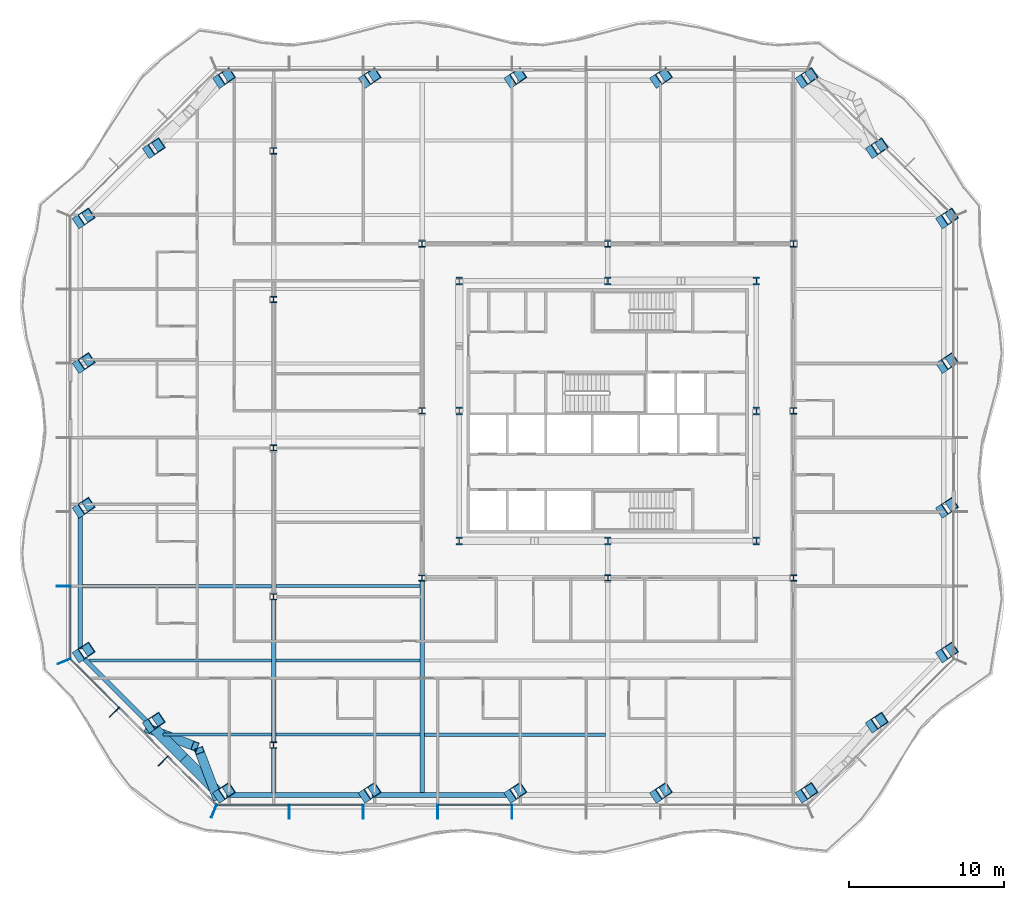
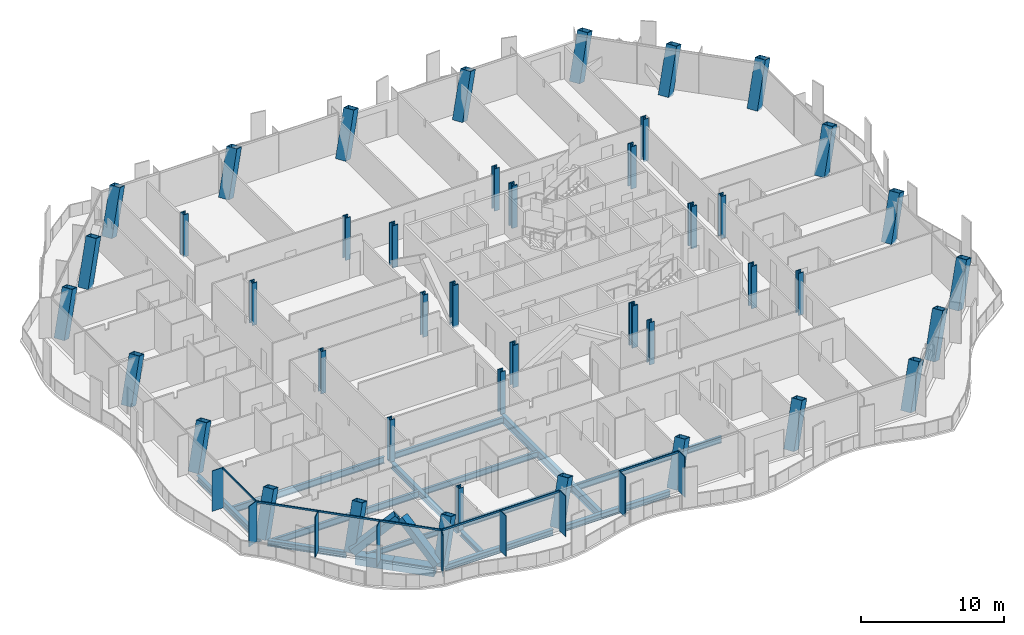
# One storey, part 1 of 17: 43 columns, 18 members, 16 beams, 3 elements without a shape of their own.
"""IFC4 building model written with IfcOpenShell, lengths in metres."""

from ifc_helpers import new_model, si_unit, direction, frame, origin, origin_2d, place, context, subcontext, project, spatial, rectangle, hollow_rectangle, i_section, extrude, clip, halfspace, material, material_profile, profile_set, type_object, element, aggregate, save


model = new_model("IFC4")

# Units and contexts
model_context = context("Model", 3, precision=1e-05, world=origin(), true_north=direction((0.0, 1.0)))
body_context = subcontext(model_context, "Body", "Model", "MODEL_VIEW")
ifc_project = project(units=[si_unit("LENGTHUNIT", "METRE"), si_unit("AREAUNIT", "SQUARE_METRE"), si_unit("VOLUMEUNIT", "CUBIC_METRE"), si_unit("PLANEANGLEUNIT", "RADIAN"), si_unit("MASSUNIT", "GRAM", prefix="KILO")], contexts=[model_context])

# Site, building, storey
site_placement = place(None, origin())
site = spatial("IfcSite", under=ifc_project, at=site_placement, CompositionType="ELEMENT")
building_placement = place(site_placement, origin())
building = spatial("IfcBuilding", under=site, at=building_placement, Name="Cairn Pilgrim Tower", CompositionType="ELEMENT")
storey_placement = place(building_placement, frame((0.0, 0.0, 94.199951171875)))
storey = spatial("IfcBuildingStorey", under=building, at=storey_placement, Name="L22", CompositionType="ELEMENT", Elevation=94.199951171875)

# Columns
ifc_material_1 = material(Name="Structural steel S460M", Category="steel")
ifc_material_profile_1 = material_profile(ifc_material_1, hollow_rectangle(XDim=0.800048828125, YDim=0.800048828125, WallThickness=0.050048828125, at=origin_2d()), Name="BOX 800x800x50")
ifc_profile_set_1 = profile_set([ifc_material_profile_1], Name="Structural steel S460M")
column_type_1 = type_object("IfcColumnType", Name="BOX 800x800x50", PredefinedType="COLUMN", material=ifc_profile_set_1)
for number, where, z_axis, x_axis, name in (
    (1, (-17.81884765625, -22.427734375, -0.14990234375), (0.28196214786, 0.18797476524, 0.940830927854), (-0.554700196225, 0.832050294338, 0.0), "PC1-S1"),
    (2, (-8.4052734375, -22.427734375, -0.14990234375), (0.28196214786, 0.18797476524, 0.940830927854), (-0.554700196225, 0.832050294338, 0.0), "PC1-S2"),
    (3, (1.00830078125, -22.427734375, -0.14990234375), (0.28196214786, 0.18797476524, 0.940830927854), (-0.554700196225, 0.832050294338, 0.0), "PC1-S3"),
    (4, (10.422119140625, -22.427734375, -0.14990234375), (0.281903412306, 0.18797814682, 0.940847852975), (-0.554787109556, 0.83199234556, 0.0), "PC1-S4"),
    (5, (19.835693359375, -22.427734375, -0.14990234375), (0.281903412306, 0.18797814682, 0.940847852975), (-0.554787109556, 0.83199234556, 0.0), "PC1-SE1"),
    (6, (24.3720703125, -17.891357421875, -0.14990234375), (0.281903412306, 0.18797814682, 0.940847852975), (-0.554787109556, 0.83199234556, 0.0), "PC1-SE2"),
    (7, (28.908447265625, -13.35498046875, -0.14990234375), (0.281903412306, 0.18797814682, 0.940847852975), (-0.554787109556, 0.83199234556, 0.0), "PC1-E1"),
):
    element("IfcColumn", number, at=place(storey_placement, frame(where, z_axis=z_axis, x_axis=x_axis)), inside=storey, type_object=column_type_1, Name=name, PredefinedType="COLUMN", context=body_context, shape_type="Clipping", body=[
        clip(clip(extrude(hollow_rectangle(XDim=0.800048828125, YDim=0.800048828125, WallThickness=0.050048828125, at=origin_2d()), origin(), (0.0, 0.0, 1.0), 3.826171875), halfspace(frame((0.0, 0.0, 0.02392578125), z_axis=(0.0, 0.0, 1.0), x_axis=(1.0, 0.0, 0.0)), True)), halfspace(frame((0.0, 0.0, 3.802001953125), z_axis=(0.0, 0.0, 1.0), x_axis=(1.0, 0.0, 0.0)), False)),
    ])
column_1_placement = place(storey_placement, frame((28.908447265625, -4.00341796875, -0.14990234375), z_axis=(0.281906793082, 0.187916592491, 0.940859136258), x_axis=(-0.554656732749, 0.832079268349, 0.0)))
element("IfcColumn", 8, at=column_1_placement, inside=storey, type_object=column_type_1, Name="PC1-E2", PredefinedType="COLUMN", context=body_context, shape_type="Clipping", body=[
    clip(clip(extrude(hollow_rectangle(XDim=0.800048828125, YDim=0.800048828125, WallThickness=0.050048828125, at=origin_2d()), origin(), (0.0, 0.0, 1.0), 3.826171875), halfspace(frame((0.0, 0.0, 0.02392578125), z_axis=(0.0, 0.0, 1.0), x_axis=(1.0, 0.0, 0.0)), True)), halfspace(frame((0.0, 0.0, 3.8017578125), z_axis=(0.0, 0.0, 1.0), x_axis=(1.0, 0.0, 0.0)), False)),
])
for number, where, z_axis, x_axis, name in (
    (9, (28.908447265625, 5.347900390625, -0.14990234375), (0.281903412306, 0.18797814682, 0.940847852975), (-0.554787109556, 0.83199234556, 0.0), "PC1-E3"),
    (10, (28.908447265625, 14.699462890625, -0.14990234375), (0.281903412306, 0.18797814682, 0.940847852975), (-0.554787109556, 0.83199234556, 0.0), "PC1-NE1"),
    (11, (24.3720703125, 19.23583984375, -0.14990234375), (0.281903412306, 0.18797814682, 0.940847852975), (-0.554787109556, 0.83199234556, 0.0), "PC1-NE2"),
    (12, (19.835693359375, 23.772216796875, -0.14990234375), (0.281903412306, 0.18797814682, 0.940847852975), (-0.554787109556, 0.83199234556, 0.0), "PC1-N1"),
    (13, (10.422119140625, 23.772216796875, -0.14990234375), (0.281903412306, 0.18797814682, 0.940847852975), (-0.554787109556, 0.83199234556, 0.0), "PC1-N2"),
    (14, (1.00830078125, 23.772216796875, -0.14990234375), (0.28196214786, 0.18797476524, 0.940830927854), (-0.554700196225, 0.832050294338, 0.0), "PC1-N3"),
    (15, (-8.4052734375, 23.772216796875, -0.14990234375), (0.28196214786, 0.18797476524, 0.940830927854), (-0.554700196225, 0.832050294338, 0.0), "PC1-N4"),
    (16, (-17.81884765625, 23.772216796875, -0.14990234375), (0.28196214786, 0.18797476524, 0.940830927854), (-0.554700196225, 0.832050294338, 0.0), "PC1-NW1"),
    (17, (-22.355224609375, 19.23583984375, -0.14990234375), (0.281903412306, 0.18797814682, 0.940847852975), (-0.554787109556, 0.83199234556, 0.0), "PC1-NW2"),
    (18, (-26.8916015625, 14.699462890625, -0.14990234375), (0.281903412306, 0.18797814682, 0.940847852975), (-0.554787109556, 0.83199234556, 0.0), "PC1-W1"),
    (19, (-26.8916015625, 5.347900390625, -0.14990234375), (0.281903412306, 0.18797814682, 0.940847852975), (-0.554787109556, 0.83199234556, 0.0), "PC1-W2"),
):
    element("IfcColumn", number, at=place(storey_placement, frame(where, z_axis=z_axis, x_axis=x_axis)), inside=storey, type_object=column_type_1, Name=name, PredefinedType="COLUMN", context=body_context, shape_type="Clipping", body=[
        clip(clip(extrude(hollow_rectangle(XDim=0.800048828125, YDim=0.800048828125, WallThickness=0.050048828125, at=origin_2d()), origin(), (0.0, 0.0, 1.0), 3.826171875), halfspace(frame((0.0, 0.0, 0.02392578125), z_axis=(0.0, 0.0, 1.0), x_axis=(1.0, 0.0, 0.0)), True)), halfspace(frame((0.0, 0.0, 3.802001953125), z_axis=(0.0, 0.0, 1.0), x_axis=(1.0, 0.0, 0.0)), False)),
    ])
column_2_placement = place(storey_placement, frame((-26.8916015625, -4.00341796875, -0.14990234375), z_axis=(0.281906793082, 0.187916592491, 0.940859136258), x_axis=(-0.554656732749, 0.832079268349, 0.0)))
element("IfcColumn", 20, at=column_2_placement, inside=storey, type_object=column_type_1, Name="PC1-W3", PredefinedType="COLUMN", context=body_context, shape_type="Clipping", body=[
    clip(clip(extrude(hollow_rectangle(XDim=0.800048828125, YDim=0.800048828125, WallThickness=0.050048828125, at=origin_2d()), origin(), (0.0, 0.0, 1.0), 3.826171875), halfspace(frame((0.0, 0.0, 0.02392578125), z_axis=(0.0, 0.0, 1.0), x_axis=(1.0, 0.0, 0.0)), True)), halfspace(frame((0.0, 0.0, 3.8017578125), z_axis=(0.0, 0.0, 1.0), x_axis=(1.0, 0.0, 0.0)), False)),
])
for number, where, z_axis, x_axis, name in (
    (21, (-26.8916015625, -13.35498046875, -0.14990234375), (0.281903412306, 0.18797814682, 0.940847852975), (-0.554787109556, 0.83199234556, 0.0), "PC1-SW1"),
    (22, (-22.355224609375, -17.891357421875, -0.14990234375), (0.281903412306, 0.18797814682, 0.940847852975), (-0.554787109556, 0.83199234556, 0.0), "PC1-SW2"),
):
    element("IfcColumn", number, at=place(storey_placement, frame(where, z_axis=z_axis, x_axis=x_axis)), inside=storey, type_object=column_type_1, Name=name, PredefinedType="COLUMN", context=body_context, shape_type="Clipping", body=[
        clip(clip(extrude(hollow_rectangle(XDim=0.800048828125, YDim=0.800048828125, WallThickness=0.050048828125, at=origin_2d()), origin(), (0.0, 0.0, 1.0), 3.826171875), halfspace(frame((0.0, 0.0, 0.02392578125), z_axis=(0.0, 0.0, 1.0), x_axis=(1.0, 0.0, 0.0)), True)), halfspace(frame((0.0, 0.0, 3.802001953125), z_axis=(0.0, 0.0, 1.0), x_axis=(1.0, 0.0, 0.0)), False)),
    ])
ifc_material_profile_2 = material_profile(ifc_material_1, i_section(OverallWidth=0.408935546875, OverallDepth=0.425048828125, WebThickness=0.03271484375, FlangeThickness=0.052490234375, FilletRadius=0.014892578125, at=origin_2d()), Name="HD 400x421")
ifc_profile_set_2 = profile_set([ifc_material_profile_2], Name="Structural steel S460M")
column_type_2 = type_object("IfcColumnType", Name="HD 400x421", PredefinedType="COLUMN", material=ifc_profile_set_2)
for number, where, z_axis, x_axis, name in (
    (23, (-4.800048828125, -8.39990234375, -0.14990234375), (0.0, 0.0, 1.0), (1.0, 0.0, 0.0), "IC-1"),
    (24, (7.199951171875, -8.39990234375, -0.14990234375), (0.0, 0.0, 1.0), (1.0, 0.0, 0.0), "IC-2"),
    (25, (19.199951171875, -8.39990234375, -0.14990234375), (0.0, 0.0, 1.0), (1.0, 0.0, 0.0), "IC-3"),
    (26, (-4.800048828125, 2.39990234375, -0.14990234375), (0.0, 0.0, 1.0), (1.0, 0.0, 0.0), "IC-4"),
    (27, (19.199951171875, 2.39990234375, -0.14990234375), (0.0, 0.0, 1.0), (1.0, 0.0, 0.0), "IC-5"),
    (28, (-4.800048828125, 13.199951171875, -0.14990234375), (0.0, 0.0, 1.0), (1.0, 0.0, 0.0), "IC-6"),
    (29, (7.199951171875, 13.199951171875, -0.14990234375), (0.0, 0.0, 1.0), (1.0, 0.0, 0.0), "IC-7"),
    (30, (19.199951171875, 13.199951171875, -0.14990234375), (0.0, 0.0, 1.0), (1.0, 0.0, 0.0), "IC-8"),
    (31, (-14.39990234375, -19.199951171875, -0.14990234375), (0.0, 0.0, 1.0), (1.0, 0.0, 0.0), "WC-WW-4"),
    (32, (-14.39990234375, -9.60009765625, -0.14990234375), (0.0, 0.0, 1.0), (1.0, 0.0, 0.0), "WC-WW-2"),
    (33, (-14.39990234375, 0.0, -0.14990234375), (0.0, 0.0, 1.0), (1.0, 0.0, 0.0), "WC-WW+0"),
    (34, (-14.39990234375, 9.60009765625, -0.14990234375), (0.0, 0.0, 1.0), (1.0, 0.0, 0.0), "WC-WW+2"),
    (35, (-14.39990234375, 19.199951171875, -0.14990234375), (0.0, 0.0, 1.0), (1.0, 0.0, 0.0), "WC-WW+4"),
):
    element("IfcColumn", number, at=place(storey_placement, frame(where, z_axis=z_axis, x_axis=x_axis)), inside=storey, type_object=column_type_2, Name=name, PredefinedType="COLUMN", context=body_context, shape_type="SweptSolid", body=[
        extrude(i_section(OverallWidth=0.408935546875, OverallDepth=0.425048828125, WebThickness=0.03271484375, FlangeThickness=0.052490234375, FilletRadius=0.014892578125, at=origin_2d()), origin(), (0.0, 0.0, 1.0), 3.599853515625),
    ])
ifc_material_profile_3 = material_profile(ifc_material_1, i_section(OverallWidth=0.43701171875, OverallDepth=0.513916015625, WebThickness=0.060546875, FlangeThickness=0.096923828125, FilletRadius=0.014892578125, at=origin_2d()), Name="HD 400x818")
ifc_profile_set_3 = profile_set([ifc_material_profile_3], Name="Structural steel S460M")
column_type_3 = type_object("IfcColumnType", Name="HD 400x818", PredefinedType="COLUMN", material=ifc_profile_set_3)
for number, where, z_axis, x_axis, name in (
    (36, (-2.39990234375, -6.0, -0.14990234375), (0.0, 0.0, 1.0), (1.0, 0.0, 0.0), "KC-1"),
    (37, (7.199951171875, -6.0, -0.14990234375), (0.0, 0.0, 1.0), (1.0, 0.0, 0.0), "KC-2"),
    (38, (16.800048828125, -6.0, -0.14990234375), (0.0, 0.0, 1.0), (1.0, 0.0, 0.0), "KC-3"),
    (39, (-2.39990234375, 2.39990234375, -0.14990234375), (0.0, 0.0, 1.0), (1.0, 0.0, 0.0), "KC-4"),
    (40, (16.800048828125, 2.39990234375, -0.14990234375), (0.0, 0.0, 1.0), (1.0, 0.0, 0.0), "KC-5"),
    (41, (-2.39990234375, 10.800048828125, -0.14990234375), (0.0, 0.0, 1.0), (1.0, 0.0, 0.0), "KC-6"),
    (42, (7.199951171875, 10.800048828125, -0.14990234375), (0.0, 0.0, 1.0), (1.0, 0.0, 0.0), "KC-7"),
    (43, (16.800048828125, 10.800048828125, -0.14990234375), (0.0, 0.0, 1.0), (1.0, 0.0, 0.0), "KC-8"),
):
    element("IfcColumn", number, at=place(storey_placement, frame(where, z_axis=z_axis, x_axis=x_axis)), inside=storey, type_object=column_type_3, Name=name, PredefinedType="COLUMN", context=body_context, shape_type="SweptSolid", body=[
        extrude(i_section(OverallWidth=0.43701171875, OverallDepth=0.513916015625, WebThickness=0.060546875, FlangeThickness=0.096923828125, FilletRadius=0.014892578125, at=origin_2d()), origin(), (0.0, 0.0, 1.0), 3.599853515625),
    ])

# Members
ifc_material_profile_4 = material_profile(ifc_material_1, hollow_rectangle(XDim=0.60009765625, YDim=0.60009765625, WallThickness=0.034912109375, at=origin_2d()), Name="BOX 600x600x35")
ifc_profile_set_4 = profile_set([ifc_material_profile_4], Name="Structural steel S460M")
member_type_1 = type_object("IfcMemberType", Name="BOX 600x600x35 BRACE", PredefinedType="BRACE", material=ifc_profile_set_4)
for number, where, z_axis, x_axis, name in (
    (44, (-22.486083984375, -18.13525390625, 0.150146484375), (0.72777860101, -0.276357415527, 0.627666222442), (0.354994993922, 0.934868201561, 0.0), "XB-SW2-S1-1"),
    (45, (-18.062744140625, -22.55859375, 0.150146484375), (-0.276357415527, 0.72777860101, 0.627666222442), (-0.934868201561, -0.354994993922, 0.0), "XB-SW2-S1-2"),
):
    element("IfcMember", number, at=place(storey_placement, frame(where, z_axis=z_axis, x_axis=x_axis)), inside=storey, type_object=member_type_1, Name=name, PredefinedType="BRACE", context=body_context, shape_type="SweptSolid", body=[
        extrude(hollow_rectangle(XDim=0.60009765625, YDim=0.60009765625, WallThickness=0.034912109375, at=origin_2d()), origin(), (0.0, 0.0, 1.0), 4.133544921875),
    ])

# Beams
ifc_material_2 = material(Name="Structural steel S355J2", Category="steel")
ifc_material_profile_5 = material_profile(ifc_material_2, hollow_rectangle(XDim=0.699951171875, YDim=0.800048828125, WallThickness=0.0400390625, at=origin_2d()), Name="BOX 700x800x40")
ifc_profile_set_5 = profile_set([ifc_material_profile_5], Name="Structural steel S355J2")
beam_type_1 = type_object("IfcBeamType", Name="BOX 700x800x40 RING GIRDER", PredefinedType="SPANDREL", material=ifc_profile_set_5)
beam_1_placement = place(storey_placement, frame((-22.1005859375, -18.14599609375, -0.550048828125), z_axis=(0.707106781187, -0.707106781187, 0.0), x_axis=(0.707106781187, 0.707106781187, 0.0)))
element("IfcBeam", 46, at=beam_1_placement, inside=storey, type_object=beam_type_1, Name="RG1-SW2-S1-1", PredefinedType="SPANDREL", context=body_context, shape_type="SweptSolid", body=[
    extrude(hollow_rectangle(XDim=0.699951171875, YDim=0.800048828125, WallThickness=0.0400390625, at=origin_2d()), origin(), (0.0, 0.0, 1.0), 2.685546875),
])
beam_2_placement = place(storey_placement, frame((-20.20166015625, -20.044921875, -0.550048828125), z_axis=(0.707106781187, -0.707106781187, 0.0), x_axis=(0.707106781187, 0.707106781187, 0.0)))
element("IfcBeam", 47, at=beam_2_placement, inside=storey, type_object=beam_type_1, Name="RG1-SW2-S1-2", PredefinedType="SPANDREL", context=body_context, shape_type="SweptSolid", body=[
    extrude(hollow_rectangle(XDim=0.699951171875, YDim=0.800048828125, WallThickness=0.0400390625, at=origin_2d()), origin(), (0.0, 0.0, 1.0), 3.009765625),
])

# Curtain wall, members
ifc_material_3 = material(Name="Aluminium alloy 6063-T6 bronze anodised with Bronze tinted laminated low-E glass 8+16+8.8", Category="aluminium")
curtain_wall_type_1 = type_object("IfcCurtainWallType", Name="TOWER STICK CURTAIN WALL NS", PredefinedType="NOTDEFINED", material=ifc_material_3)
curtain_wall_1_placement = place(storey_placement, origin())
curtain_wall_1 = element("IfcCurtainWall", 48, at=curtain_wall_1_placement, inside=storey, type_object=curtain_wall_type_1, Name="Tower Stick Curtain Wall Ns S", PredefinedType="NOTDEFINED")
ifc_material_4 = material(Name="Aluminium alloy 6063-T6 bronze anodised", Category="aluminium")
ifc_material_profile_6 = material_profile(ifc_material_4, rectangle(XDim=0.89990234375, YDim=0.06005859375, at=origin_2d()), Name="FIN MULLION 60x900 BRONZE")
ifc_profile_set_6 = profile_set([ifc_material_profile_6], Name="Aluminium alloy 6063-T6 bronze anodised")
member_type_2 = type_object("IfcMemberType", Name="FIN MULLION 60x900 BRONZE", PredefinedType="MULLION", material=ifc_profile_set_6)
member_1_placement = place(storey_placement, frame((-18.248779296875, -23.4658203125, 0.0), z_axis=(0.0, 0.0, 1.0), x_axis=(-0.382683432365, -0.923879532511, 0.0)))
member_1 = element("IfcMember", 49, at=member_1_placement, type_object=member_type_2, Name="Fin mullion S1", PredefinedType="MULLION", context=body_context, shape_type="SweptSolid", body=[
    extrude(rectangle(XDim=0.89990234375, YDim=0.06005859375, at=origin_2d()), origin(), (0.0, 0.0, 1.0), 3.449951171875),
])
member_2_placement = place(storey_placement, frame((-13.3916015625, -23.497802734375, 0.0), z_axis=(0.0, 0.0, 1.0), x_axis=(0.0, -1.0, 0.0)))
member_2 = element("IfcMember", 50, at=member_2_placement, type_object=member_type_2, Name="Fin mullion S2", PredefinedType="MULLION", context=body_context, shape_type="SweptSolid", body=[
    extrude(rectangle(XDim=0.89990234375, YDim=0.06005859375, at=origin_2d()), origin(), (0.0, 0.0, 1.0), 3.449951171875),
])
member_3_placement = place(storey_placement, frame((-8.591552734375, -23.497802734375, 0.0), z_axis=(0.0, 0.0, 1.0), x_axis=(0.0, -1.0, 0.0)))
member_3 = element("IfcMember", 51, at=member_3_placement, type_object=member_type_2, Name="Fin mullion S3", PredefinedType="MULLION", context=body_context, shape_type="SweptSolid", body=[
    extrude(rectangle(XDim=0.89990234375, YDim=0.06005859375, at=origin_2d()), origin(), (0.0, 0.0, 1.0), 3.449951171875),
])
member_4_placement = place(storey_placement, frame((-3.79150390625, -23.497802734375, 0.0), z_axis=(0.0, 0.0, 1.0), x_axis=(0.0, -1.0, 0.0)))
member_4 = element("IfcMember", 52, at=member_4_placement, type_object=member_type_2, Name="Fin mullion S4", PredefinedType="MULLION", context=body_context, shape_type="SweptSolid", body=[
    extrude(rectangle(XDim=0.89990234375, YDim=0.06005859375, at=origin_2d()), origin(), (0.0, 0.0, 1.0), 3.449951171875),
])
member_5_placement = place(storey_placement, frame((1.00830078125, -23.497802734375, 0.0), z_axis=(0.0, 0.0, 1.0), x_axis=(0.0, -1.0, 0.0)))
member_5 = element("IfcMember", 53, at=member_5_placement, type_object=member_type_2, Name="Fin mullion S5", PredefinedType="MULLION", context=body_context, shape_type="SweptSolid", body=[
    extrude(rectangle(XDim=0.89990234375, YDim=0.06005859375, at=origin_2d()), origin(), (0.0, 0.0, 1.0), 3.449951171875),
])

# Curtain wall, member
curtain_wall_type_2 = type_object("IfcCurtainWallType", Name="TOWER STICK CURTAIN WALL EW", PredefinedType="NOTDEFINED", material=ifc_material_3)
curtain_wall_2_placement = place(storey_placement, origin())
curtain_wall_2 = element("IfcCurtainWall", 54, at=curtain_wall_2_placement, inside=storey, type_object=curtain_wall_type_2, Name="Tower Stick Curtain Wall Ew W", PredefinedType="NOTDEFINED")
member_6_placement = place(storey_placement, frame((-27.961669921875, -8.927734375, 0.0), z_axis=(0.0, 0.0, 1.0), x_axis=(-1.0, 0.0, 0.0)))
member_6 = element("IfcMember", 55, at=member_6_placement, type_object=member_type_2, Name="Fin mullion W6", PredefinedType="MULLION", context=body_context, shape_type="SweptSolid", body=[
    extrude(rectangle(XDim=0.89990234375, YDim=0.06005859375, at=origin_2d()), origin(), (0.0, 0.0, 1.0), 3.449951171875),
])

# Curtain wall, members
curtain_wall_type_3 = type_object("IfcCurtainWallType", Name="CHAMFER CORNER CURTAIN WALL", PredefinedType="NOTDEFINED", material=ifc_material_3)
curtain_wall_3_placement = place(storey_placement, origin())
curtain_wall_3 = element("IfcCurtainWall", 56, at=curtain_wall_3_placement, inside=storey, type_object=curtain_wall_type_3, Name="Chamfer Corner Curtain Wall SW", PredefinedType="NOTDEFINED")
member_7_placement = place(storey_placement, frame((-27.9296875, -13.784912109375, 0.0), z_axis=(0.0, 0.0, 1.0), x_axis=(-0.923879532511, -0.382683432365, 0.0)))
member_7 = element("IfcMember", 57, at=member_7_placement, type_object=member_type_2, Name="Fin mullion SW1", PredefinedType="MULLION", context=body_context, shape_type="SweptSolid", body=[
    extrude(rectangle(XDim=0.89990234375, YDim=0.06005859375, at=origin_2d()), origin(), (0.0, 0.0, 1.0), 3.449951171875),
])
member_8_placement = place(storey_placement, frame((-24.6875, -17.072265625, 0.0), z_axis=(0.0, 0.0, 1.0), x_axis=(-0.707106781187, -0.707106781187, 0.0)))
member_8 = element("IfcMember", 58, at=member_8_placement, type_object=member_type_2, Name="Fin mullion SW2", PredefinedType="MULLION", context=body_context, shape_type="SweptSolid", body=[
    extrude(rectangle(XDim=0.89990234375, YDim=0.06005859375, at=origin_2d()), origin(), (0.0, 0.0, 1.0), 3.449951171875),
])
member_9_placement = place(storey_placement, frame((-21.5361328125, -20.2236328125, 0.0), z_axis=(0.0, 0.0, 1.0), x_axis=(-0.707106781187, -0.707106781187, 0.0)))
member_9 = element("IfcMember", 59, at=member_9_placement, type_object=member_type_2, Name="Fin mullion SW3", PredefinedType="MULLION", context=body_context, shape_type="SweptSolid", body=[
    extrude(rectangle(XDim=0.89990234375, YDim=0.06005859375, at=origin_2d()), origin(), (0.0, 0.0, 1.0), 3.449951171875),
])

# Beams
ifc_material_profile_7 = material_profile(ifc_material_2, i_section(OverallWidth=0.300048828125, OverallDepth=0.39990234375, WebThickness=0.013427734375, FlangeThickness=0.02392578125, FilletRadius=0.027099609375, at=origin_2d()), Name="HEB 400")
ifc_profile_set_7 = profile_set([ifc_material_profile_7], Name="Structural steel S355J2")
beam_type_2 = type_object("IfcBeamType", Name="HEB 400 GIRDER", PredefinedType="BEAM", material=ifc_profile_set_7)
beam_3_placement = place(storey_placement, frame((-14.39990234375, -22.3076171875, -0.349853515625), z_axis=(0.0, 1.0, 0.0), x_axis=(-1.0, 0.0, 0.0)))
element("IfcBeam", 60, at=beam_3_placement, inside=storey, type_object=beam_type_2, Name="PG1-1", PredefinedType="BEAM", context=body_context, shape_type="SweptSolid", body=[
    extrude(i_section(OverallWidth=0.300048828125, OverallDepth=0.39990234375, WebThickness=0.013427734375, FlangeThickness=0.02392578125, FilletRadius=0.027099609375, at=origin_2d()), origin(), (0.0, 0.0, 1.0), 2.903076171875),
])
ifc_material_profile_8 = material_profile(ifc_material_2, i_section(OverallWidth=0.300048828125, OverallDepth=0.5, WebThickness=0.014404296875, FlangeThickness=0.028076171875, FilletRadius=0.027099609375, at=origin_2d()), Name="HEB 500")
ifc_profile_set_8 = profile_set([ifc_material_profile_8], Name="Structural steel S355J2")
beam_type_3 = type_object("IfcBeamType", Name="HEB 500 GIRDER", PredefinedType="BEAM", material=ifc_profile_set_8)
beam_4_placement = place(storey_placement, frame((-14.39990234375, -18.99560546875, -0.39990234375), z_axis=(0.0, 1.0, 0.0), x_axis=(-1.0, 0.0, 0.0)))
element("IfcBeam", 61, at=beam_4_placement, inside=storey, type_object=beam_type_3, Name="PG1-2", PredefinedType="BEAM", context=body_context, shape_type="SweptSolid", body=[
    extrude(i_section(OverallWidth=0.300048828125, OverallDepth=0.5, WebThickness=0.014404296875, FlangeThickness=0.028076171875, FilletRadius=0.027099609375, at=origin_2d()), origin(), (0.0, 0.0, 1.0), 9.191162109375),
])
ifc_material_profile_9 = material_profile(ifc_material_2, i_section(OverallWidth=0.300048828125, OverallDepth=0.5, WebThickness=0.014404296875, FlangeThickness=0.028076171875, FilletRadius=0.027099609375, at=origin_2d()), Name="HEB 500")
ifc_profile_set_9 = profile_set([ifc_material_profile_9], Name="Structural steel S355J2")
beam_type_4 = type_object("IfcBeamType", Name="HEB 500 RING GIRDER", PredefinedType="SPANDREL", material=ifc_profile_set_9)
for number, where, z_axis, x_axis, name in (
    (62, (-17.458740234375, -22.427734375, -0.39990234375), (1.0, 0.0, 0.0), (0.0, 1.0, 0.0), "RG1-S1-S2"),
    (63, (-8.045166015625, -22.427734375, -0.39990234375), (1.0, 0.0, 0.0), (0.0, 1.0, 0.0), "RG1-S2-S3"),
):
    element("IfcBeam", number, at=place(storey_placement, frame(where, z_axis=z_axis, x_axis=x_axis)), inside=storey, type_object=beam_type_4, Name=name, PredefinedType="SPANDREL", context=body_context, shape_type="SweptSolid", body=[
        extrude(i_section(OverallWidth=0.300048828125, OverallDepth=0.5, WebThickness=0.014404296875, FlangeThickness=0.028076171875, FilletRadius=0.027099609375, at=origin_2d()), origin(), (0.0, 0.0, 1.0), 8.693603515625),
    ])
beam_5_placement = place(storey_placement, frame((-26.8916015625, -4.363525390625, -0.39990234375), z_axis=(0.0, -1.0, 0.0), x_axis=(1.0, 0.0, 0.0)))
element("IfcBeam", 64, at=beam_5_placement, inside=storey, type_object=beam_type_4, Name="RG1-W3-SW1", PredefinedType="SPANDREL", context=body_context, shape_type="SweptSolid", body=[
    extrude(i_section(OverallWidth=0.300048828125, OverallDepth=0.5, WebThickness=0.014404296875, FlangeThickness=0.028076171875, FilletRadius=0.027099609375, at=origin_2d()), origin(), (0.0, 0.0, 1.0), 8.631591796875),
])
beam_6_placement = place(storey_placement, frame((-26.63720703125, -13.609619140625, -0.39990234375), z_axis=(0.707128214185, -0.707085347538, 0.0), x_axis=(0.707085347538, 0.707128214185, 0.0)))
element("IfcBeam", 65, at=beam_6_placement, inside=storey, type_object=beam_type_4, Name="RG1-SW1-SW2", PredefinedType="SPANDREL", context=body_context, shape_type="SweptSolid", body=[
    extrude(i_section(OverallWidth=0.300048828125, OverallDepth=0.5, WebThickness=0.014404296875, FlangeThickness=0.028076171875, FilletRadius=0.027099609375, at=origin_2d()), origin(), (0.0, 0.0, 1.0), 5.6953125),
])
ifc_material_profile_10 = material_profile(ifc_material_2, i_section(OverallWidth=0.300048828125, OverallDepth=0.699951171875, WebThickness=0.01708984375, FlangeThickness=0.031982421875, FilletRadius=0.027099609375, at=origin_2d()), Name="HEB 700")
ifc_profile_set_10 = profile_set([ifc_material_profile_10], Name="Structural steel S355J2")
beam_type_5 = type_object("IfcBeamType", Name="HEB 700 GIRDER", PredefinedType="BEAM", material=ifc_profile_set_10)
beam_7_placement = place(storey_placement, frame((-4.800048828125, -22.3076171875, -0.5), z_axis=(0.0, 1.0, 0.0), x_axis=(-1.0, 0.0, 0.0)))
element("IfcBeam", 66, at=beam_7_placement, inside=storey, type_object=beam_type_5, Name="PG2-1", PredefinedType="BEAM", context=body_context, shape_type="SweptSolid", body=[
    extrude(i_section(OverallWidth=0.300048828125, OverallDepth=0.699951171875, WebThickness=0.01708984375, FlangeThickness=0.031982421875, FilletRadius=0.027099609375, at=origin_2d()), origin(), (0.0, 0.0, 1.0), 13.703125),
])
ifc_material_profile_11 = material_profile(ifc_material_2, i_section(OverallWidth=0.18994140625, OverallDepth=0.449951171875, WebThickness=0.009521484375, FlangeThickness=0.0146484375, FilletRadius=0.02099609375, at=origin_2d()), Name="IPE 450")
ifc_profile_set_11 = profile_set([ifc_material_profile_11], Name="Structural steel S355J2")
beam_type_6 = type_object("IfcBeamType", Name="IPE 450 SECONDARY BEAM", PredefinedType="JOIST", material=ifc_profile_set_11)
beam_8_placement = place(storey_placement, frame((-21.53662109375, -18.527587890625, -0.375), z_axis=(1.0, 0.0, 0.0), x_axis=(0.0, 1.0, 0.0)))
element("IfcBeam", 67, at=beam_8_placement, inside=storey, type_object=beam_type_6, Name="SB1-1", PredefinedType="JOIST", context=body_context, shape_type="SweptSolid", body=[
    extrude(i_section(OverallWidth=0.18994140625, OverallDepth=0.449951171875, WebThickness=0.009521484375, FlangeThickness=0.0146484375, FilletRadius=0.02099609375, at=origin_2d()), origin(), (0.0, 0.0, 1.0), 6.986572265625),
])
ifc_material_profile_12 = material_profile(ifc_material_2, i_section(OverallWidth=0.199951171875, OverallDepth=0.5, WebThickness=0.01025390625, FlangeThickness=0.01611328125, FilletRadius=0.02099609375, at=origin_2d()), Name="IPE 500")
ifc_profile_set_12 = profile_set([ifc_material_profile_12], Name="Structural steel S355J2")
beam_type_7 = type_object("IfcBeamType", Name="IPE 500 SECONDARY BEAM", PredefinedType="JOIST", material=ifc_profile_set_12)
for number, where, z_axis, x_axis, name in (
    (68, (-14.25, -18.527587890625, -0.39990234375), (1.0, 0.0, 0.0), (0.0, 1.0, 0.0), "SB1-2"),
    (69, (-14.25, -13.727783203125, -0.39990234375), (1.0, 0.0, 0.0), (0.0, 1.0, 0.0), "SB2-2"),
    (70, (-14.25, -8.927734375, -0.39990234375), (1.0, 0.0, 0.0), (0.0, 1.0, 0.0), "SB3-2"),
):
    element("IfcBeam", number, at=place(storey_placement, frame(where, z_axis=z_axis, x_axis=x_axis)), inside=storey, type_object=beam_type_7, Name=name, PredefinedType="JOIST", context=body_context, shape_type="SweptSolid", body=[
        extrude(i_section(OverallWidth=0.199951171875, OverallDepth=0.5, WebThickness=0.01025390625, FlangeThickness=0.01611328125, FilletRadius=0.02099609375, at=origin_2d()), origin(), (0.0, 0.0, 1.0), 9.300048828125),
    ])
ifc_material_profile_13 = material_profile(ifc_material_2, i_section(OverallWidth=0.2099609375, OverallDepth=0.550048828125, WebThickness=0.010986328125, FlangeThickness=0.01708984375, FilletRadius=0.02392578125, at=origin_2d()), Name="IPE 550")
ifc_profile_set_13 = profile_set([ifc_material_profile_13], Name="Structural steel S355J2")
beam_type_8 = type_object("IfcBeamType", Name="IPE 550 SECONDARY BEAM", PredefinedType="JOIST", material=ifc_profile_set_13)
beam_9_placement = place(storey_placement, frame((-4.64990234375, -18.527587890625, -0.425048828125), z_axis=(1.0, 0.0, 0.0), x_axis=(0.0, 1.0, 0.0)))
element("IfcBeam", 71, at=beam_9_placement, inside=storey, type_object=beam_type_8, Name="SB1-3", PredefinedType="JOIST", context=body_context, shape_type="SweptSolid", body=[
    extrude(i_section(OverallWidth=0.2099609375, OverallDepth=0.550048828125, WebThickness=0.010986328125, FlangeThickness=0.01708984375, FilletRadius=0.02392578125, at=origin_2d()), origin(), (0.0, 0.0, 1.0), 11.699951171875),
])
beam_10_placement = place(storey_placement, frame((-26.336669921875, -13.727783203125, -0.425048828125), z_axis=(1.0, 0.0, 0.0), x_axis=(0.0, 1.0, 0.0)))
element("IfcBeam", 72, at=beam_10_placement, inside=storey, type_object=beam_type_8, Name="SB2-1", PredefinedType="JOIST", context=body_context, shape_type="SweptSolid", body=[
    extrude(i_section(OverallWidth=0.2099609375, OverallDepth=0.550048828125, WebThickness=0.010986328125, FlangeThickness=0.01708984375, FilletRadius=0.02392578125, at=origin_2d()), origin(), (0.0, 0.0, 1.0), 11.78662109375),
])
beam_11_placement = place(storey_placement, frame((-26.771484375, -8.927734375, -0.425048828125), z_axis=(1.0, 0.0, 0.0), x_axis=(0.0, 1.0, 0.0)))
element("IfcBeam", 73, at=beam_11_placement, inside=storey, type_object=beam_type_8, Name="SB3-1", PredefinedType="JOIST", context=body_context, shape_type="SweptSolid", body=[
    extrude(i_section(OverallWidth=0.2099609375, OverallDepth=0.550048828125, WebThickness=0.010986328125, FlangeThickness=0.01708984375, FilletRadius=0.02392578125, at=origin_2d()), origin(), (0.0, 0.0, 1.0), 12.221435546875),
])

# Member
ifc_material_profile_14 = material_profile(ifc_material_4, rectangle(XDim=0.080078125, YDim=0.14990234375, at=origin_2d()), Name="TRANSOM 80x150 BRONZE")
ifc_profile_set_14 = profile_set([ifc_material_profile_14], Name="Aluminium alloy 6063-T6 bronze anodised")
member_type_3 = type_object("IfcMemberType", Name="TRANSOM 80x150 BRONZE", PredefinedType="USERDEFINED", material=ifc_profile_set_14)
member_10_placement = place(storey_placement, frame((-18.048095703125, -23.07763671875, 3.375), z_axis=(1.0, 0.0, 0.0), x_axis=(0.0, 1.0, 0.0)))
member_10 = element("IfcMember", 74, at=member_10_placement, type_object=member_type_3, Name="Transom S1", ObjectType="TRANSOM", PredefinedType="USERDEFINED", context=body_context, shape_type="SweptSolid", body=[
    extrude(rectangle(XDim=0.080078125, YDim=0.14990234375, at=origin_2d()), origin(), (0.0, 0.0, 1.0), 4.62646484375),
])

member_11_placement = place(storey_placement, frame((-13.361572265625, -23.07763671875, 3.375), z_axis=(1.0, 0.0, 0.0), x_axis=(0.0, 1.0, 0.0)))
member_11 = element("IfcMember", 75, at=member_11_placement, type_object=member_type_3, Name="Transom S2", ObjectType="TRANSOM", PredefinedType="USERDEFINED", context=body_context, shape_type="SweptSolid", body=[
    extrude(rectangle(XDim=0.080078125, YDim=0.14990234375, at=origin_2d()), origin(), (0.0, 0.0, 1.0), 4.739990234375),
])

member_12_placement = place(storey_placement, frame((-3.76171875, -23.07763671875, 3.375), z_axis=(1.0, 0.0, 0.0), x_axis=(0.0, 1.0, 0.0)))
member_12 = element("IfcMember", 76, at=member_12_placement, type_object=member_type_3, Name="Transom S4", ObjectType="TRANSOM", PredefinedType="USERDEFINED", context=body_context, shape_type="SweptSolid", body=[
    extrude(rectangle(XDim=0.080078125, YDim=0.14990234375, at=origin_2d()), origin(), (0.0, 0.0, 1.0), 4.739990234375),
])

aggregate(curtain_wall_1, [member_1, member_2, member_3, member_4, member_5, member_10, member_11, member_12])

member_13_placement = place(storey_placement, frame((-27.54150390625, -8.957763671875, 3.375), z_axis=(0.0, -1.0, 0.0), x_axis=(1.0, 0.0, 0.0)))
member_13 = element("IfcMember", 77, at=member_13_placement, type_object=member_type_3, Name="Transom W6", ObjectType="TRANSOM", PredefinedType="USERDEFINED", context=body_context, shape_type="SweptSolid", body=[
    extrude(rectangle(XDim=0.080078125, YDim=0.14990234375, at=origin_2d()), origin(), (0.0, 0.0, 1.0), 4.62646484375),
])

aggregate(curtain_wall_2, [member_6, member_13])

member_14_placement = place(storey_placement, frame((-27.513427734375, -13.652587890625, 3.375), z_axis=(0.707134609628, -0.70707895165, 0.0), x_axis=(0.70707895165, 0.707134609628, 0.0)))
member_14 = element("IfcMember", 78, at=member_14_placement, type_object=member_type_3, Name="Transom SW1", ObjectType="TRANSOM", PredefinedType="USERDEFINED", context=body_context, shape_type="SweptSolid", body=[
    extrude(rectangle(XDim=0.080078125, YDim=0.14990234375, at=origin_2d()), origin(), (0.0, 0.0, 1.0), 4.386474609375),
])

member_15_placement = place(storey_placement, frame((-24.369140625, -16.796630859375, 3.375), z_axis=(0.707106781187, -0.707106781187, 0.0), x_axis=(0.707106781187, 0.707106781187, 0.0)))
member_15 = element("IfcMember", 79, at=member_15_placement, type_object=member_type_3, Name="Transom SW2", ObjectType="TRANSOM", PredefinedType="USERDEFINED", context=body_context, shape_type="SweptSolid", body=[
    extrude(rectangle(XDim=0.080078125, YDim=0.14990234375, at=origin_2d()), origin(), (0.0, 0.0, 1.0), 4.396240234375),
])

member_16_placement = place(storey_placement, frame((-21.218017578125, -19.94775390625, 3.375), z_axis=(0.70707895165, -0.707134609628, 0.0), x_axis=(0.707134609628, 0.70707895165, 0.0)))
member_16 = element("IfcMember", 80, at=member_16_placement, type_object=member_type_3, Name="Transom SW3", ObjectType="TRANSOM", PredefinedType="USERDEFINED", context=body_context, shape_type="SweptSolid", body=[
    extrude(rectangle(XDim=0.080078125, YDim=0.14990234375, at=origin_2d()), origin(), (0.0, 0.0, 1.0), 4.386474609375),
])

aggregate(curtain_wall_3, [member_7, member_8, member_9, member_14, member_15, member_16])

save(model, "model.ifc")
